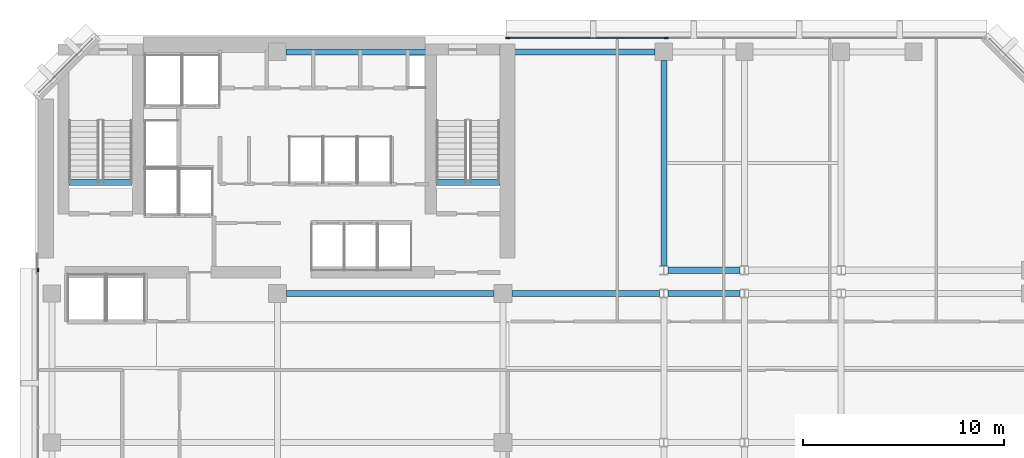
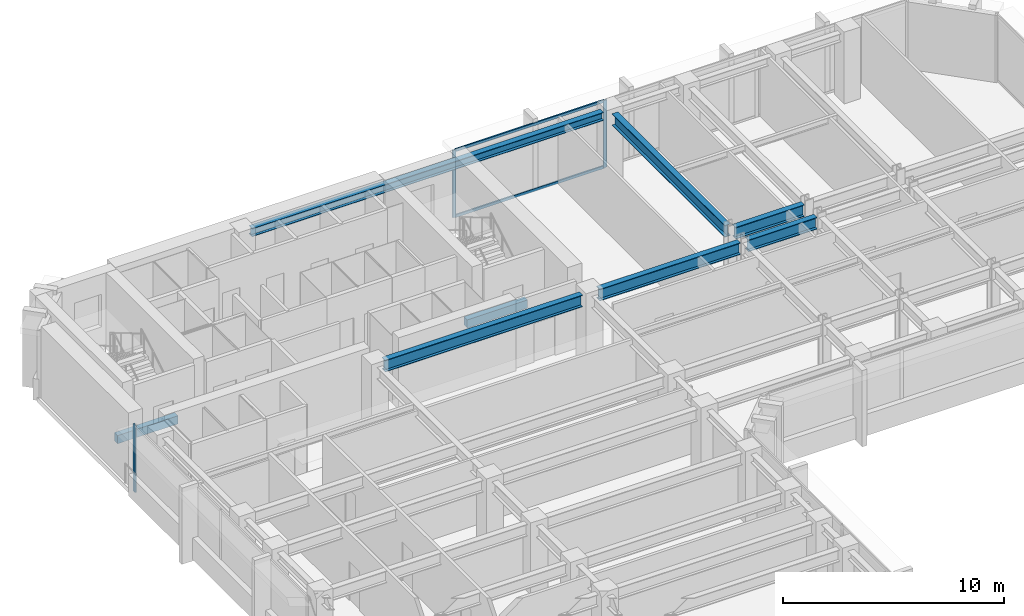
# One storey, part 4 of 11: 8 beams, 5 members, 2 elements without a shape of their own.
"""IFC4 building model written with IfcOpenShell, lengths in metres."""

from ifc_helpers import new_model, si_unit, direction, frame, origin, origin_2d, place, context, subcontext, project, spatial, rectangle, i_section, extrude, material, layer, layer_set, material_profile, profile_set, type_object, element, aggregate, save


model = new_model("IFC4")

# Units and contexts
model_context = context("Model", 3, precision=1e-05, world=origin(), true_north=direction((0.0, 1.0)))
body_context = subcontext(model_context, "Body", "Model", "MODEL_VIEW")
ifc_project = project(units=[si_unit("LENGTHUNIT", "METRE"), si_unit("AREAUNIT", "SQUARE_METRE"), si_unit("VOLUMEUNIT", "CUBIC_METRE"), si_unit("PLANEANGLEUNIT", "RADIAN"), si_unit("MASSUNIT", "GRAM", prefix="KILO")], contexts=[model_context])

# Site, building, storey
site_placement = place(None, origin())
site = spatial("IfcSite", under=ifc_project, at=site_placement, CompositionType="ELEMENT")
building_placement = place(site_placement, origin())
building = spatial("IfcBuilding", under=site, at=building_placement, Name="Kefirva Bronze Tower", CompositionType="ELEMENT")
storey_placement = place(building_placement, frame((0.0, 0.0, 187.43994140625)))
storey = spatial("IfcBuildingStorey", under=building, at=storey_placement, Name="L45", CompositionType="ELEMENT", Elevation=187.43994140625)

# Curtain wall, members
ifc_material_1 = material(Name="Bronze anodised aluminium", Category="aluminium")
ifc_layer = layer(ifc_material_1, 0.199951171875, Name="Bronze anodised aluminium")
ifc_layer_set = layer_set([ifc_layer], Name="Bronze anodised aluminium")
curtain_wall_type = type_object("IfcCurtainWallType", Name="Unitised Bronze Ribbon Curtain Wall Zone 2", PredefinedType="USERDEFINED", material=ifc_layer_set)
curtain_wall_1_placement = place(storey_placement, origin())
curtain_wall_1 = element("IfcCurtainWall", 1, at=curtain_wall_1_placement, inside=storey, type_object=curtain_wall_type, Name="L45 Curtain Wall 5", ObjectType="UNITISED CURTAIN WALL", PredefinedType="USERDEFINED")
ifc_material_profile_1 = material_profile(ifc_material_1, rectangle(XDim=0.074951171875, YDim=0.179931640625, at=origin_2d()), Name="ALU 75x180")
ifc_profile_set_1 = profile_set([ifc_material_profile_1], Name="Bronze anodised aluminium")
member_type_1 = type_object("IfcMemberType", Name="Bronze Mullion 75x180", PredefinedType="MULLION", material=ifc_profile_set_1)
member_1_placement = place(storey_placement, frame((31.318359375, 45.8798828125, 0.0), z_axis=(0.0, 0.0, 1.0), x_axis=(0.0, -1.0, 0.0)))
member_1 = element("IfcMember", 2, at=member_1_placement, type_object=member_type_1, Name="CW-02 mullion 3", PredefinedType="MULLION", context=body_context, shape_type="SweptSolid", body=[
    extrude(rectangle(XDim=0.074951171875, YDim=0.179931640625, at=origin_2d()), origin(), (0.0, 0.0, 1.0), 3.7099609375),
])
member_2_placement = place(storey_placement, frame((23.4423828125, 45.8798828125, 0.0), z_axis=(0.0, 0.0, 1.0), x_axis=(0.0, -1.0, 0.0)))
member_2 = element("IfcMember", 3, at=member_2_placement, type_object=member_type_1, Name="CW-02 mullion 4", PredefinedType="MULLION", context=body_context, shape_type="SweptSolid", body=[
    extrude(rectangle(XDim=0.074951171875, YDim=0.179931640625, at=origin_2d()), origin(), (0.0, 0.0, 1.0), 3.7099609375),
])

# Curtain wall, member
curtain_wall_2_placement = place(storey_placement, origin())
curtain_wall_2 = element("IfcCurtainWall", 4, at=curtain_wall_2_placement, inside=storey, type_object=curtain_wall_type, Name="L45 Curtain Wall 6", ObjectType="UNITISED CURTAIN WALL", PredefinedType="USERDEFINED")
member_3_placement = place(storey_placement, frame((0.1201171875, 34.357421875, 0.0), z_axis=(0.0, 0.0, 1.0), x_axis=(1.0, 0.0, 0.0)))
member_3 = element("IfcMember", 5, at=member_3_placement, type_object=member_type_1, Name="CW-02 mullion 1", PredefinedType="MULLION", context=body_context, shape_type="SweptSolid", body=[
    extrude(rectangle(XDim=0.074951171875, YDim=0.179931640625, at=origin_2d()), origin(), (0.0, 0.0, 1.0), 3.7099609375),
])
aggregate(curtain_wall_2, [member_3])

# Member
ifc_material_profile_2 = material_profile(ifc_material_1, rectangle(XDim=0.074951171875, YDim=0.14990234375, at=origin_2d()), Name="ALU 75x150")
ifc_profile_set_2 = profile_set([ifc_material_profile_2], Name="Bronze anodised aluminium")
member_type_2 = type_object("IfcMemberType", Name="Bronze Transom 75x150", PredefinedType="USERDEFINED", material=ifc_profile_set_2)
member_4_placement = place(storey_placement, frame((31.28076171875, 45.8798828125, 0.03759765625), z_axis=(-1.0, 0.0, 0.0), x_axis=(0.0, -1.0, 0.0)))
member_4 = element("IfcMember", 6, at=member_4_placement, type_object=member_type_2, Name="CW-02 transom 3.1", ObjectType="TRANSOM", PredefinedType="USERDEFINED", context=body_context, shape_type="SweptSolid", body=[
    extrude(rectangle(XDim=0.074951171875, YDim=0.14990234375, at=origin_2d()), origin(), (0.0, 0.0, 1.0), 7.80078125),
])

member_5_placement = place(storey_placement, frame((31.28076171875, 45.8798828125, 3.672607421875), z_axis=(-1.0, 0.0, 0.0), x_axis=(0.0, -1.0, 0.0)))
member_5 = element("IfcMember", 7, at=member_5_placement, type_object=member_type_2, Name="CW-02 transom 3.2", ObjectType="TRANSOM", PredefinedType="USERDEFINED", context=body_context, shape_type="SweptSolid", body=[
    extrude(rectangle(XDim=0.074951171875, YDim=0.14990234375, at=origin_2d()), origin(), (0.0, 0.0, 1.0), 7.80078125),
])

aggregate(curtain_wall_1, [member_1, member_2, member_4, member_5])

# Beams
ifc_material_2 = material(Name="Concrete C50/60", Category="concrete")
ifc_material_profile_3 = material_profile(ifc_material_2, rectangle(XDim=0.300048828125, YDim=0.449951171875, at=origin_2d()), Name="RC 300x450")
ifc_profile_set_3 = profile_set([ifc_material_profile_3], Name="Concrete C50/60")
beam_type_1 = type_object("IfcBeamType", Name="RC Stair Trimmer Beam 300x450", PredefinedType="BEAM", material=ifc_profile_set_3)
beam_1_placement = place(storey_placement, frame((1.64501953125, 38.699951171875, -0.224853515625), z_axis=(1.0, 0.0, 0.0), x_axis=(0.0, 1.0, 0.0)))
element("IfcBeam", 8, at=beam_1_placement, inside=storey, type_object=beam_type_1, Name="L45 Stair 1 Landing Trimmer Beam", PredefinedType="BEAM", context=body_context, shape_type="SweptSolid", body=[
    extrude(rectangle(XDim=0.300048828125, YDim=0.449951171875, at=origin_2d()), origin(), (0.0, 0.0, 1.0), 3.14990234375),
])
beam_2_placement = place(storey_placement, frame((19.89501953125, 38.699951171875, -0.224853515625), z_axis=(1.0, 0.0, 0.0), x_axis=(0.0, 1.0, 0.0)))
element("IfcBeam", 9, at=beam_2_placement, inside=storey, type_object=beam_type_1, Name="L45 Stair 2 Landing Trimmer Beam", PredefinedType="BEAM", context=body_context, shape_type="SweptSolid", body=[
    extrude(rectangle(XDim=0.300048828125, YDim=0.449951171875, at=origin_2d()), origin(), (0.0, 0.0, 1.0), 3.159912109375),
])
ifc_material_3 = material(Name="Steel S355", Category="steel")
ifc_material_profile_4 = material_profile(ifc_material_3, i_section(OverallWidth=0.300048828125, OverallDepth=0.64990234375, WebThickness=0.01611328125, FlangeThickness=0.031005859375, at=origin_2d()), Name="HEB 650")
ifc_profile_set_4 = profile_set([ifc_material_profile_4], Name="Steel S355")
beam_type_2 = type_object("IfcBeamType", Name="Steel Girder HEB 650", PredefinedType="USERDEFINED", material=ifc_profile_set_4)
beam_3_placement = place(storey_placement, frame((12.449951171875, 33.199951171875, 3.385009765625), z_axis=(1.0, 0.0, 0.0), x_axis=(0.0, 1.0, 0.0)))
element("IfcBeam", 10, at=beam_3_placement, inside=storey, type_object=beam_type_2, Name="L45 BM-L45-EW-12-332", ObjectType="GIRDER", PredefinedType="USERDEFINED", context=body_context, shape_type="SweptSolid", body=[
    extrude(i_section(OverallWidth=0.300048828125, OverallDepth=0.64990234375, WebThickness=0.01611328125, FlangeThickness=0.031005859375, at=origin_2d()), origin(), (0.0, 0.0, 1.0), 10.300048828125),
])
beam_4_placement = place(storey_placement, frame((23.64990234375, 33.199951171875, 3.385009765625), z_axis=(1.0, 0.0, 0.0), x_axis=(0.0, 1.0, 0.0)))
element("IfcBeam", 11, at=beam_4_placement, inside=storey, type_object=beam_type_2, Name="L45 BM-L45-EW-23-332", ObjectType="GIRDER", PredefinedType="USERDEFINED", context=body_context, shape_type="SweptSolid", body=[
    extrude(i_section(OverallWidth=0.300048828125, OverallDepth=0.64990234375, WebThickness=0.01611328125, FlangeThickness=0.031005859375, at=origin_2d()), origin(), (0.0, 0.0, 1.0), 7.341064453125),
])
for number, where, z_axis, x_axis, name in (
    (12, (31.408935546875, 33.199951171875, 3.385009765625), (1.0, 0.0, 0.0), (0.0, 1.0, 0.0), "L45 BM-L45-EW-31-332"),
    (13, (31.408935546875, 34.35009765625, 3.385009765625), (1.0, 0.0, 0.0), (0.0, 1.0, 0.0), "L45 BM-L45-EW-31-344"),
):
    element("IfcBeam", number, at=place(storey_placement, frame(where, z_axis=z_axis, x_axis=x_axis)), inside=storey, type_object=beam_type_2, Name=name, ObjectType="GIRDER", PredefinedType="USERDEFINED", context=body_context, shape_type="SweptSolid", body=[
        extrude(i_section(OverallWidth=0.300048828125, OverallDepth=0.64990234375, WebThickness=0.01611328125, FlangeThickness=0.031005859375, at=origin_2d()), origin(), (0.0, 0.0, 1.0), 3.58203125),
    ])
beam_5_placement = place(storey_placement, frame((31.199951171875, 34.577392578125, 3.385009765625), z_axis=(0.0, 1.0, 0.0), x_axis=(-1.0, 0.0, 0.0)))
element("IfcBeam", 14, at=beam_5_placement, inside=storey, type_object=beam_type_2, Name="L45 BM-L45-NS-312-34", ObjectType="GIRDER", PredefinedType="USERDEFINED", context=body_context, shape_type="SweptSolid", body=[
    extrude(i_section(OverallWidth=0.300048828125, OverallDepth=0.64990234375, WebThickness=0.01611328125, FlangeThickness=0.031005859375, at=origin_2d()), origin(), (0.0, 0.0, 1.0), 10.192626953125),
])
ifc_material_profile_5 = material_profile(ifc_material_3, i_section(OverallWidth=0.300048828125, OverallDepth=0.449951171875, WebThickness=0.013916015625, FlangeThickness=0.02587890625, at=origin_2d()), Name="HEB 450")
ifc_profile_set_5 = profile_set([ifc_material_profile_5], Name="Steel S355")
beam_type_3 = type_object("IfcBeamType", Name="Steel Spandrel HEB 450 Ext", PredefinedType="SPANDREL", material=ifc_profile_set_5)
beam_6_placement = place(storey_placement, frame((12.429931640625, 45.199951171875, 3.485107421875), z_axis=(1.0, 0.0, 0.0), x_axis=(0.0, 1.0, 0.0)))
element("IfcBeam", 15, at=beam_6_placement, inside=storey, type_object=beam_type_3, Name="L45 BM-L45-EW-12-452", PredefinedType="SPANDREL", context=body_context, shape_type="SweptSolid", body=[
    extrude(i_section(OverallWidth=0.300048828125, OverallDepth=0.449951171875, WebThickness=0.013916015625, FlangeThickness=0.02587890625, at=origin_2d()), origin(), (0.0, 0.0, 1.0), 18.340087890625),
])

save(model, "model.ifc")
